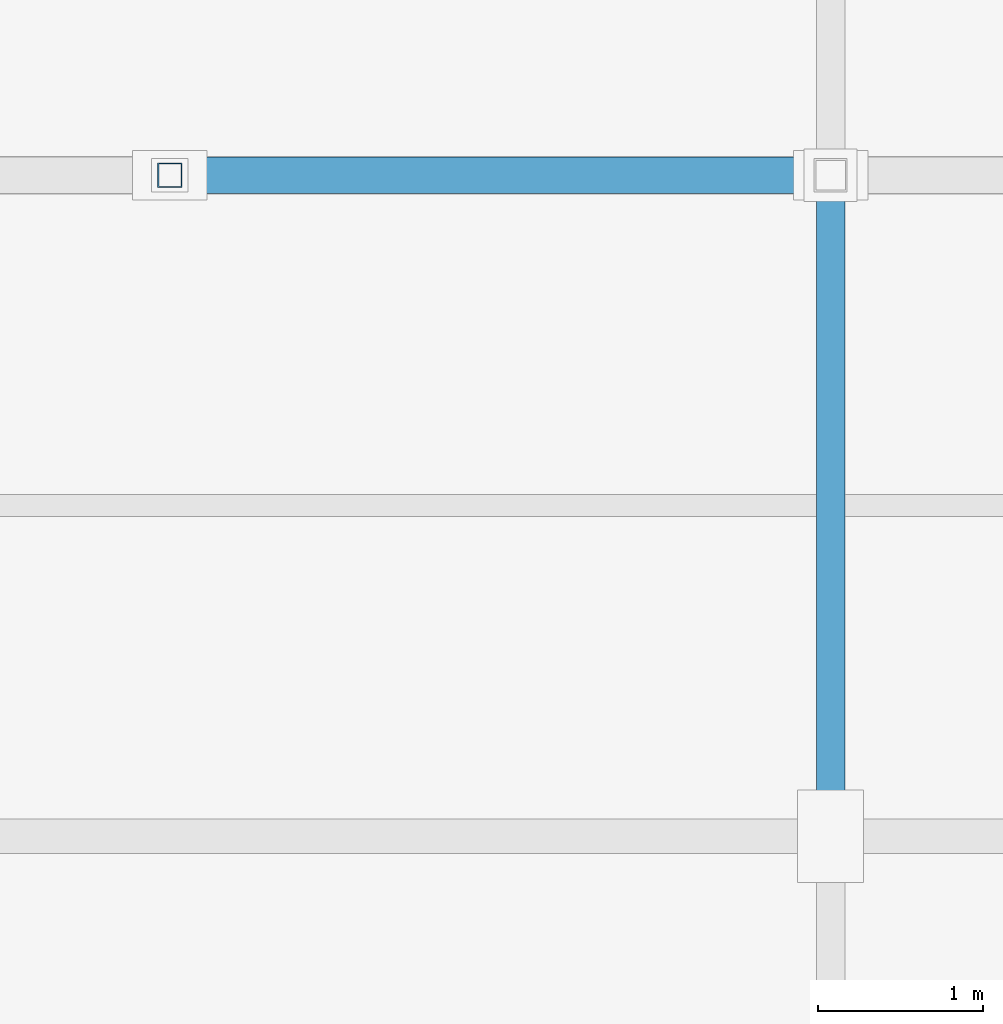
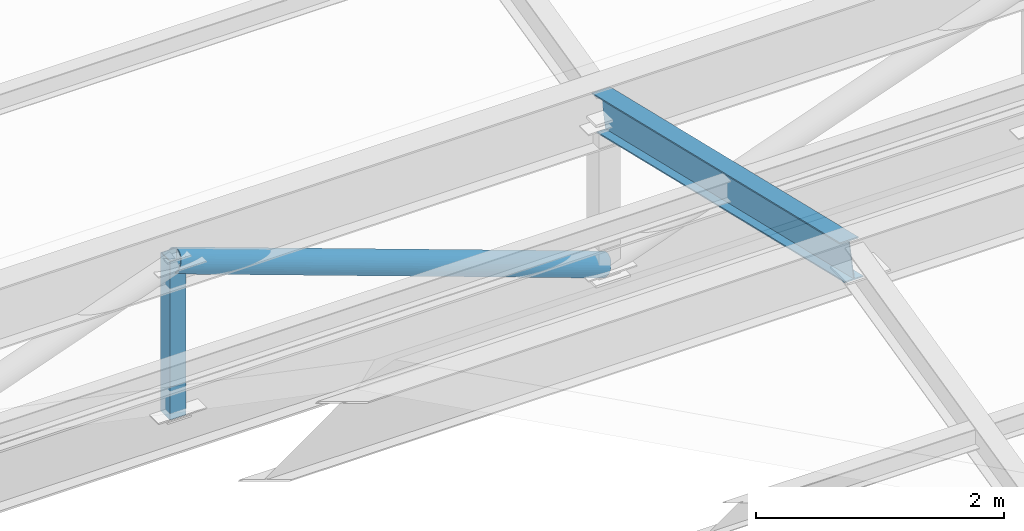
# One storey, part 59 of 112: 3 members.
"""IFC4 building model written with IfcOpenShell, lengths in metres."""

from ifc_helpers import new_model, si_unit, direction, frame, origin, origin_2d, place, context, subcontext, project, spatial, hollow_rectangle, hollow_circle, i_section, extrude, material, material_profile, profile_set, type_object, element, save


model = new_model("IFC4")

# Units and contexts
model_context = context("Model", 3, precision=1e-05, world=origin(), true_north=direction((0.0, 1.0)))
body_context = subcontext(model_context, "Body", "Model", "MODEL_VIEW")
ifc_project = project(units=[si_unit("LENGTHUNIT", "METRE"), si_unit("AREAUNIT", "SQUARE_METRE"), si_unit("VOLUMEUNIT", "CUBIC_METRE"), si_unit("PLANEANGLEUNIT", "RADIAN"), si_unit("MASSUNIT", "GRAM", prefix="KILO")], contexts=[model_context])

# Site, building, storey
site_placement = place(None, origin())
site = spatial("IfcSite", under=ifc_project, at=site_placement, CompositionType="ELEMENT")
building_placement = place(site_placement, origin())
building = spatial("IfcBuilding", under=site, at=building_placement, Name="Celadon Cloister-Ring School", CompositionType="ELEMENT")
storey_placement = place(building_placement, frame((0.0, 0.0, 8.5)))
storey = spatial("IfcBuildingStorey", under=building, at=storey_placement, Name="L02", CompositionType="ELEMENT", Elevation=8.5)

# Members
ifc_material_1 = material(Name="Structural steel S355JR", Category="steel")
ifc_material_profile_1 = material_profile(ifc_material_1, hollow_rectangle(XDim=0.14990234375, YDim=0.14990234375, WallThickness=0.008056640625, at=origin_2d()), Name="HSS150X150X8")
ifc_profile_set_1 = profile_set([ifc_material_profile_1], Name="Structural steel S355JR")
member_type_1 = type_object("IfcMemberType", Name="MB-05", PredefinedType="BRACE", material=ifc_profile_set_1)
member_1_placement = place(storey_placement, frame((154.0, 106.0, 0.919921875), z_axis=(0.0, 0.0, 1.0), x_axis=(1.0, 0.0, 0.0)))
element("IfcMember", 1, at=member_1_placement, inside=storey, type_object=member_type_1, Name="Structural Member 0476", PredefinedType="BRACE", context=body_context, shape_type="SweptSolid", body=[
    extrude(hollow_rectangle(XDim=0.14990234375, YDim=0.14990234375, WallThickness=0.008056640625, at=origin_2d()), origin(), (0.0, 0.0, 1.0), 1.56005859375),
])
ifc_material_2 = material(Name="Structural steel S355JR", Category="steel")
ifc_material_profile_2 = material_profile(ifc_material_2, hollow_circle(Radius=0.109619140625, WallThickness=0.010009765625, at=origin_2d()), Name="CHS219.1X10")
ifc_profile_set_2 = profile_set([ifc_material_profile_2], Name="Structural steel S355JR")
member_type_2 = type_object("IfcMemberType", Name="MB-08", PredefinedType="BRACE", material=ifc_profile_set_2)
member_2_placement = place(storey_placement, frame((154.0, 106.0, 2.419921875), z_axis=(0.94089180426, 0.0, -0.338707266939), x_axis=(0.0, 1.0, 0.0)))
element("IfcMember", 2, at=member_2_placement, inside=storey, type_object=member_type_2, Name="Structural Member 0483", PredefinedType="BRACE", context=body_context, shape_type="SweptSolid", body=[
    extrude(hollow_circle(Radius=0.109619140625, WallThickness=0.010009765625, at=origin_2d()), origin(), (0.0, 0.0, 1.0), 4.251220703125),
])
ifc_material_3 = material(Name="Structural steel S355JR", Category="steel")
ifc_material_profile_3 = material_profile(ifc_material_3, i_section(OverallWidth=0.1708984375, OverallDepth=0.35498046875, WebThickness=0.007080078125, FlangeThickness=0.01171875, at=origin_2d()), Name="W360X51")
ifc_profile_set_3 = profile_set([ifc_material_profile_3], Name="Structural steel S355JR")
member_type_3 = type_object("IfcMemberType", Name="MR-05", PredefinedType="RAFTER", material=ifc_profile_set_3)
member_3_placement = place(storey_placement, frame((158.0, 102.0, 3.449951171875), z_axis=(0.0, 0.97293922076, -0.231061188231), x_axis=(-1.0, 0.0, 0.0)))
element("IfcMember", 3, at=member_3_placement, inside=storey, type_object=member_type_3, Name="Structural Member 0560", PredefinedType="RAFTER", context=body_context, shape_type="SweptSolid", body=[
    extrude(i_section(OverallWidth=0.1708984375, OverallDepth=0.35498046875, WebThickness=0.007080078125, FlangeThickness=0.01171875, at=origin_2d()), origin(), (0.0, 0.0, 1.0), 4.111328125),
])

save(model, "model.ifc")
